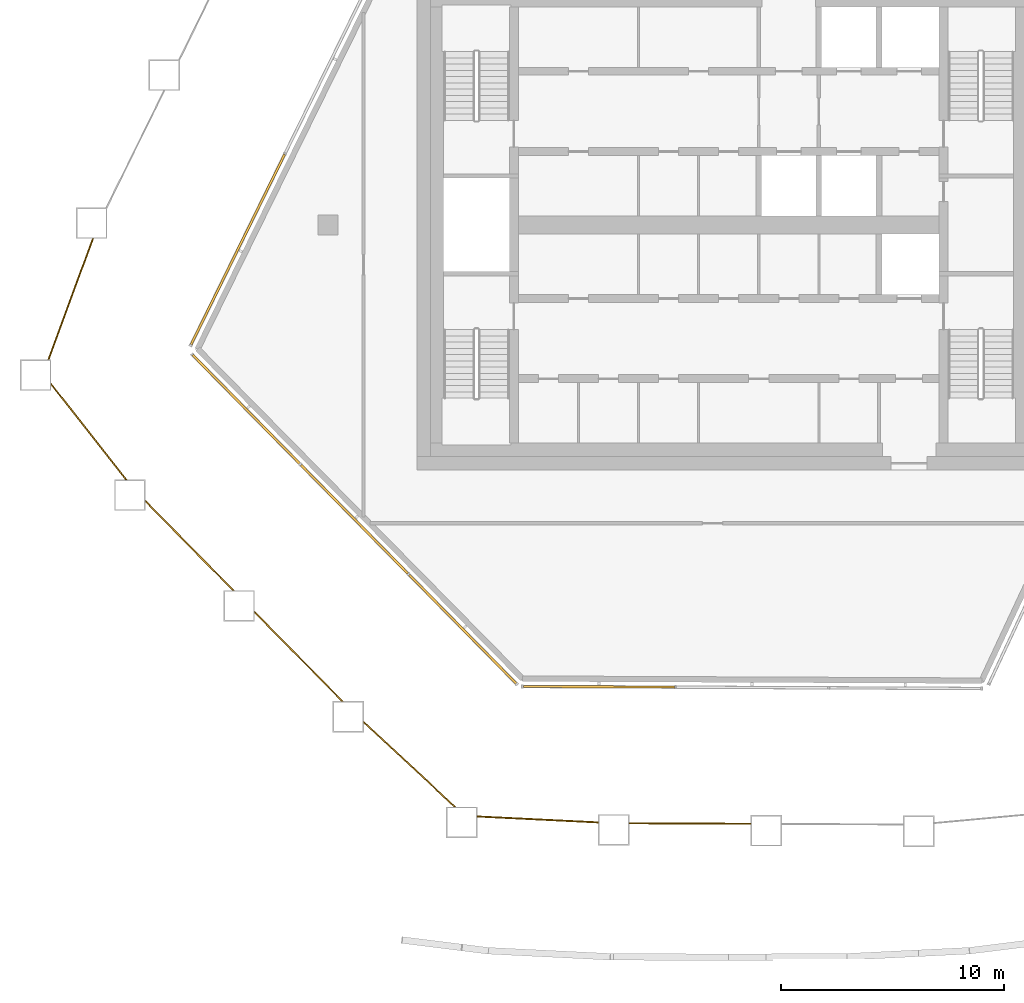
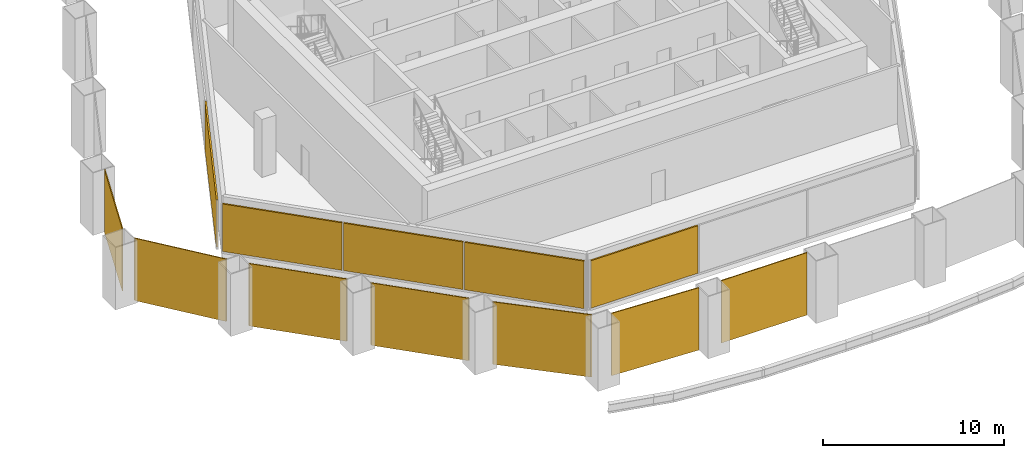
# One storey, part 13 of 18: 12 coverings, 3 elements without a shape of their own.
"""IFC4 building model written with IfcOpenShell, lengths in metres."""

import ifcopenshell
import ifcopenshell.guid

model = None  # the IFC model being written
_history = None  # IfcOwnerHistory: only IFC2X3 demands one
_inside = {}  # id of a spatial element -> (the spatial element, [elements in it])
_under = {}  # id of a project, library or spatial element -> (it, [spatial elements below it])
_declared = {}  # id of a project -> (the project, [libraries it declares])
_typed = {}  # id of a type object -> (the type object, [elements of that type])
_made_of = {}  # id of a material, layer set ... -> (it, [elements and type objects made of it])


def new_model(schema):
    """Start an empty IFC model of exactly this schema.

    Asked for "IFC4X3", IfcOpenShell would pick the latest addendum, in which some entities
    have other attributes; the version numbers below select the first issue.
    IFC2X3 requires an IfcOwnerHistory on every rooted entity: one is made here for all.
    """
    global model, _history
    if schema == "IFC4X3":
        model = ifcopenshell.file(schema_version=(4, 3, 0, 0))
    else:
        model = ifcopenshell.file(schema=schema)
    _inside.clear()
    _under.clear()
    _declared.clear()
    _typed.clear()
    _made_of.clear()
    _history = None
    if model.schema == "IFC2X3":
        org = make("IfcOrganization", Name="unknown")
        user = make(
            "IfcPersonAndOrganization",
            ThePerson=make("IfcPerson", FamilyName="unknown"),
            TheOrganization=org,
        )
        app = make(
            "IfcApplication",
            ApplicationDeveloper=org,
            Version="unknown",
            ApplicationFullName="unknown",
            ApplicationIdentifier="unknown",
        )
        _history = make(
            "IfcOwnerHistory",
            OwningUser=user,
            OwningApplication=app,
            ChangeAction="ADDED",
            CreationDate=0,
        )
    return model


def make(cls, **values):
    """One entity of the class cls with the attributes given. An attribute that is None is left unset."""
    return model.create_entity(
        cls, **{name: value for name, value in values.items() if value is not None}
    )


def rooted(cls, **values):
    """An entity with a GlobalId (a new one), such as an element, a storey or a relation."""
    return make(cls, GlobalId=ifcopenshell.guid.new(), OwnerHistory=_history, **values)


def si_unit(unit_type, name, prefix=None):
    """IfcSIUnit, for example si_unit("LENGTHUNIT", "METRE", prefix="MILLI")."""
    return make("IfcSIUnit", UnitType=unit_type, Prefix=prefix, Name=name)


def assignment(units):
    """IfcUnitAssignment: the units of a project."""
    return None if units is None else make("IfcUnitAssignment", Units=units)


def point(xyz):
    """IfcCartesianPoint."""
    return None if xyz is None else make("IfcCartesianPoint", Coordinates=xyz)


def direction(xyz):
    """IfcDirection."""
    return None if xyz is None else make("IfcDirection", DirectionRatios=xyz)


def frame(location, z_axis=None, x_axis=None):
    """IfcAxis2Placement3D, a coordinate frame: its origin and axes. An axis left out is left unset."""
    return make(
        "IfcAxis2Placement3D",
        Location=point(location),
        Axis=direction(z_axis),
        RefDirection=direction(x_axis),
    )


def frame_2d(location, x_axis=None):
    """IfcAxis2Placement2D, a coordinate frame in the plane: its origin and x axis."""
    return make(
        "IfcAxis2Placement2D", Location=point(location), RefDirection=direction(x_axis)
    )


def origin():
    """The frame at (0, 0, 0) with its axes left unset."""
    return frame((0.0, 0.0, 0.0))


def origin_2d():
    """The frame at (0, 0) in the plane with its x axis left unset."""
    return frame_2d((0.0, 0.0))


def place(relative_to, where):
    """IfcLocalPlacement: puts the frame where relative to a parent placement (None: the world)."""
    return make(
        "IfcLocalPlacement", PlacementRelTo=relative_to, RelativePlacement=where
    )


def context(
    kind, dimensions, precision=None, world=None, true_north=None, identifier=None
):
    """IfcGeometricRepresentationContext, for example the 3D "Model" context."""
    return make(
        "IfcGeometricRepresentationContext",
        ContextIdentifier=identifier,
        ContextType=kind,
        CoordinateSpaceDimension=dimensions,
        Precision=precision,
        WorldCoordinateSystem=world,
        TrueNorth=true_north,
    )


def subcontext(parent, identifier, kind, view, scale=None):
    """IfcGeometricRepresentationSubContext, for example "Body" below "Model"."""
    return make(
        "IfcGeometricRepresentationSubContext",
        ContextIdentifier=identifier,
        ContextType=kind,
        ParentContext=parent,
        TargetScale=scale,
        TargetView=view,
    )


def project(units=None, contexts=None):
    """IfcProject with its units and contexts."""
    return rooted(
        "IfcProject",
        Name="project",
        RepresentationContexts=contexts,
        UnitsInContext=assignment(units),
    )


def spatial(cls, under=None, at=None, **own):
    """A site, building, storey or space (cls), placed at a placement, below another one or the project."""
    s = rooted(cls, ObjectPlacement=at, **own)
    if under is not None:
        _under.setdefault(under.id(), (under, []))[1].append(s)
    return s


def polyline(points):
    """IfcPolyline through the points."""
    return make("IfcPolyline", Points=[point(p) for p in points])


def profile(cls, at=None, kind="AREA", **sizes):
    """A parametric profile (cls). Its sizes go by their IFC names, for example OverallWidth=200.0."""
    return make(cls, ProfileType=kind, Position=at, **sizes)


def rectangle(**sizes):
    """IfcRectangleProfileDef."""
    return profile("IfcRectangleProfileDef", **sizes)


def outline(outer, holes=None, kind="AREA"):
    """IfcArbitraryClosedProfileDef: a profile drawn as a closed curve; with holes, ...WithVoids."""
    if holes is None:
        return make("IfcArbitraryClosedProfileDef", ProfileType=kind, OuterCurve=outer)
    return make(
        "IfcArbitraryProfileDefWithVoids",
        ProfileType=kind,
        OuterCurve=outer,
        InnerCurves=holes,
    )


def extrude(swept, where, along, depth):
    """IfcExtrudedAreaSolid: the profile swept, set in the frame where, extruded along a direction by depth."""
    return make(
        "IfcExtrudedAreaSolid",
        SweptArea=swept,
        Position=where,
        ExtrudedDirection=direction(along),
        Depth=depth,
    )


def shape(context_of_items, identifier, shape_type, items):
    """IfcShapeRepresentation: the items that make up one representation, for example the "Body"."""
    return make(
        "IfcShapeRepresentation",
        ContextOfItems=context_of_items,
        RepresentationIdentifier=identifier,
        RepresentationType=shape_type,
        Items=items,
    )


def material(Name=None, Category=None):
    """IfcMaterial."""
    return make("IfcMaterial", Name=Name, Category=Category)


def layer(
    of_material, thickness, ventilated=None, Name=None, Category=None, Priority=None
):
    """IfcMaterialLayer: one layer of a wall or slab, of a material (None: an air gap)."""
    return make(
        "IfcMaterialLayer",
        Material=of_material,
        LayerThickness=thickness,
        IsVentilated=ventilated,
        Name=Name,
        Category=Category,
        Priority=Priority,
    )


def layer_set(layers, Name=None):
    """IfcMaterialLayerSet."""
    return make("IfcMaterialLayerSet", MaterialLayers=layers, LayerSetName=Name)


def made_of(thing, what):
    """Note that an element or type object is made of a material, layer set ...; save() writes the relation."""
    if what is not None:
        _made_of.setdefault(what.id(), (what, []))[1].append(thing)
    return thing


def type_object(cls, material=None, **own):
    """A type object (cls), such as IfcWallType, which elements share."""
    return made_of(rooted(cls, **own), material)


def element(
    cls,
    number,
    at=None,
    inside=None,
    cuts=None,
    type_object=None,
    material=None,
    context=None,
    identifier="Body",
    shape_type=None,
    held_by="IfcProductDefinitionShape",
    body=None,
    shapes=None,
    **own,
):
    """One element of the class cls, such as IfcWall. Its Tag is "e" and its number.

    at: its placement. inside: the storey or other place that contains it. cuts: it is an
    opening in that element (IfcRelVoidsElement). A single representation is given by context,
    identifier, shape_type and body (its items); several are given by shapes. held_by: the class
    of the entity that holds the representations. save() writes the other relations.
    """
    e = rooted(cls, Tag="e%d" % number, ObjectPlacement=at, **own)
    if body is not None:
        shapes = [shape(context, identifier, shape_type, body)]
    if shapes is not None:
        e.Representation = make(held_by, Representations=shapes)
    if inside is not None:
        _inside.setdefault(inside.id(), (inside, []))[1].append(e)
    if cuts is not None:
        rooted(
            "IfcRelVoidsElement", RelatingBuildingElement=cuts, RelatedOpeningElement=e
        )
    if type_object is not None:
        _typed.setdefault(type_object.id(), (type_object, []))[1].append(e)
    return made_of(e, material)


def aggregate(whole, parts):
    """IfcRelAggregates: a whole, such as a stair, and the parts it consists of."""
    return rooted("IfcRelAggregates", RelatingObject=whole, RelatedObjects=parts)


def save(model, path):
    """Write the relations noted so far, then the file.

    IfcRelAggregates (storeys below a building ...), IfcRelContainedInSpatialStructure (elements
    in a storey), IfcRelDefinesByType, IfcRelAssociatesMaterial and IfcRelDeclares: one each for
    every whole, place, type object, material and project.
    """
    for whole, parts in _under.values():
        aggregate(whole, parts)
    for where, things in _inside.values():
        rooted(
            "IfcRelContainedInSpatialStructure",
            RelatedElements=things,
            RelatingStructure=where,
        )
    for kind, things in _typed.values():
        rooted("IfcRelDefinesByType", RelatedObjects=things, RelatingType=kind)
    for what, things in _made_of.values():
        rooted("IfcRelAssociatesMaterial", RelatedObjects=things, RelatingMaterial=what)
    for by, libraries in _declared.values():
        rooted("IfcRelDeclares", RelatingContext=by, RelatedDefinitions=libraries)
    model.write(path)


model = new_model("IFC4")

# Units and contexts
model_context = context("Model", 3, precision=1e-05, world=origin(), true_north=direction((0.0, 1.0)))
body_context = subcontext(model_context, "Body", "Model", "MODEL_VIEW")
ifc_project = project(units=[si_unit("LENGTHUNIT", "METRE"), si_unit("AREAUNIT", "SQUARE_METRE"), si_unit("VOLUMEUNIT", "CUBIC_METRE"), si_unit("PLANEANGLEUNIT", "RADIAN"), si_unit("MASSUNIT", "GRAM", prefix="KILO")], contexts=[model_context])

# Site, building, storey
site_placement = place(None, origin())
site = spatial("IfcSite", under=ifc_project, at=site_placement, CompositionType="ELEMENT")
building_placement = place(site_placement, origin())
building = spatial("IfcBuilding", under=site, at=building_placement, Name="Dongbaek Canopy Tower", CompositionType="ELEMENT")
storey_placement = place(building_placement, frame((0.0, 0.0, 371.60009765625)))
storey = spatial("IfcBuildingStorey", under=building, at=storey_placement, Name="L80", CompositionType="ELEMENT", Elevation=371.60009765625)

# Coverings
ifc_material_1 = material(Name="Perforated pale metal")
ifc_layer_1 = layer(ifc_material_1, 0.06005859375)
ifc_layer_set_1 = layer_set([ifc_layer_1], Name="Crown plant screen")
covering_type_1 = type_object("IfcCoveringType", Name="Crown plant screen", PredefinedType="CLADDING", material=ifc_layer_set_1)
covering_1_placement = place(storey_placement, origin())
element("IfcCovering", 1, at=covering_1_placement, inside=storey, type_object=covering_type_1, Name="Crown plant screen 1 L80", PredefinedType="CLADDING", context=body_context, shape_type="SweptSolid", body=[
    extrude(outline(polyline([(-30.428955078125, -7.197998046875), (-30.428955078125, -7.10107421875), (-27.02001953125, -11.43408203125), (-27.09619140625, -11.43408203125), (-30.428955078125, -7.197998046875)])), origin(), (0.0, 0.0, 1.0), 4.199951171875),
])
covering_2_placement = place(storey_placement, origin())
element("IfcCovering", 2, at=covering_2_placement, inside=storey, type_object=covering_type_1, Name="Crown plant screen 2 L80", PredefinedType="CLADDING", context=body_context, shape_type="SweptSolid", body=[
    extrude(outline(polyline([(-26.18896484375, -12.4599609375), (-26.18896484375, -12.37451171875), (-22.21240234375, -16.412109375), (-22.29638671875, -16.412109375), (-26.18896484375, -12.4599609375)])), origin(), (0.0, 0.0, 1.0), 4.199951171875),
])
covering_3_placement = place(storey_placement, origin())
element("IfcCovering", 3, at=covering_3_placement, inside=storey, type_object=covering_type_1, Name="Crown plant screen 3 L80", PredefinedType="CLADDING", context=body_context, shape_type="SweptSolid", body=[
    extrude(outline(polyline([(-21.285888671875, -17.43798828125), (-21.285888671875, -17.352294921875), (-17.310302734375, -21.388916015625), (-17.39453125, -21.388916015625), (-21.285888671875, -17.43798828125)])), origin(), (0.0, 0.0, 1.0), 4.199951171875),
])
covering_4_placement = place(storey_placement, origin())
element("IfcCovering", 4, at=covering_4_placement, inside=storey, type_object=covering_type_1, Name="Crown plant screen 4 L80", PredefinedType="CLADDING", context=body_context, shape_type="SweptSolid", body=[
    extrude(outline(polyline([(-16.384033203125, -22.371337890625), (-16.384033203125, -22.289306640625), (-12.253173828125, -26.131103515625), (-12.34130859375, -26.131103515625), (-16.384033203125, -22.371337890625)])), origin(), (0.0, 0.0, 1.0), 4.199951171875),
])
covering_5_placement = place(storey_placement, origin())
element("IfcCovering", 5, at=covering_5_placement, inside=storey, type_object=covering_type_1, Name="Crown plant screen 5 L80", PredefinedType="CLADDING", context=body_context, shape_type="SweptSolid", body=[
    extrude(outline(polyline([(-11.284912109375, -26.59521484375), (-11.284912109375, -26.53515625), (-5.865966796875, -26.802001953125), (-5.865966796875, -26.8623046875), (-11.284912109375, -26.59521484375)])), origin(), (0.0, 0.0, 1.0), 4.199951171875),
])
covering_6_placement = place(storey_placement, origin())
element("IfcCovering", 6, at=covering_6_placement, inside=storey, type_object=covering_type_1, Name="Crown plant screen 6 L80", PredefinedType="CLADDING", context=body_context, shape_type="SweptSolid", body=[
    extrude(outline(polyline([(-4.466064453125, -26.900146484375), (-4.466064453125, -26.840087890625), (0.98291015625, -26.864013671875), (0.98291015625, -26.923828125), (-4.466064453125, -26.900146484375)])), origin(), (0.0, 0.0, 1.0), 4.199951171875),
])
covering_7_placement = place(storey_placement, origin())
element("IfcCovering", 7, at=covering_7_placement, inside=storey, type_object=covering_type_1, Name="Crown plant screen 26 L80", PredefinedType="CLADDING", context=body_context, shape_type="SweptSolid", body=[
    extrude(outline(polyline([(-28.586669921875, -0.614013671875), (-28.522705078125, -0.614013671875), (-30.52001953125, -6.044921875), (-30.583984375, -6.044921875), (-28.586669921875, -0.614013671875)])), origin(), (0.0, 0.0, 1.0), 4.199951171875),
])

# Curtain wall, covering
ifc_material_2 = material(Name="Aluminium 6063-T6 pale anodised", Category="aluminium")
ifc_layer_2 = layer(ifc_material_2, 0.14990234375)
ifc_layer_set_2 = layer_set([ifc_layer_2], Name="CW-7 louvre curtain wall")
curtain_wall_type = type_object("IfcCurtainWallType", Name="CW-7 louvre curtain wall", PredefinedType="NOTDEFINED", material=ifc_layer_set_2)
curtain_wall_1_placement = place(storey_placement, origin())
curtain_wall_1 = element("IfcCurtainWall", 8, at=curtain_wall_1_placement, inside=storey, type_object=curtain_wall_type, Name="CW-7 louvre wall L80 F0", PredefinedType="NOTDEFINED")
ifc_material_3 = material(Name="Aluminium 6063-T6 pale metal louvre blades", Category="aluminium")
ifc_layer_3 = layer(ifc_material_3, 0.10009765625)
ifc_layer_set_3 = layer_set([ifc_layer_3], Name="Louvre LV bank 100 x 3200")
covering_type_2 = type_object("IfcCoveringType", Name="Louvre LV bank 100 x 3200", PredefinedType="CLADDING", material=ifc_layer_set_3)
covering_8_placement = place(storey_placement, frame((-5.828369140625, -20.741943359375, 0.2998046875), z_axis=(0.0, 0.0, 1.0), x_axis=(0.999990026762, -0.004466136555, 0.0)))
covering_8 = element("IfcCovering", 9, at=covering_8_placement, type_object=covering_type_2, Name="Louvre L80 F0.1.1", PredefinedType="CLADDING", context=body_context, shape_type="SweptSolid", body=[
    extrude(rectangle(XDim=6.787841796875, YDim=0.10009765625, at=origin_2d()), origin(), (0.0, 0.0, 1.0), 3.199951171875),
])
aggregate(curtain_wall_1, [covering_8])

curtain_wall_2_placement = place(storey_placement, origin())
curtain_wall_2 = element("IfcCurtainWall", 10, at=curtain_wall_2_placement, inside=storey, type_object=curtain_wall_type, Name="CW-7 louvre wall L80 F4", PredefinedType="NOTDEFINED")
covering_9_placement = place(storey_placement, frame((-22.04638671875, -1.105712890625, 0.2998046875), z_axis=(0.0, 0.0, 1.0), x_axis=(-0.441341619439, -0.897339163834, 0.0)))
covering_9 = element("IfcCovering", 11, at=covering_9_placement, type_object=covering_type_2, Name="Louvre L80 F4.1.3", PredefinedType="CLADDING", context=body_context, shape_type="SweptSolid", body=[
    extrude(rectangle(XDim=9.51171875, YDim=0.10009765625, at=origin_2d()), origin(), (0.0, 0.0, 1.0), 3.199951171875),
])
aggregate(curtain_wall_2, [covering_9])

# Curtain wall, coverings
curtain_wall_3_placement = place(storey_placement, origin())
curtain_wall_3 = element("IfcCurtainWall", 12, at=curtain_wall_3_placement, inside=storey, type_object=curtain_wall_type, Name="CW-7 louvre wall L80 F5", PredefinedType="NOTDEFINED")
covering_10_placement = place(storey_placement, frame((-21.669677734375, -8.28173828125, 0.2998046875), z_axis=(0.0, 0.0, 1.0), x_axis=(0.70171826998, -0.712454538603, 0.0)))
covering_10 = element("IfcCovering", 13, at=covering_10_placement, type_object=covering_type_2, Name="Louvre L80 F5.1.1", PredefinedType="CLADDING", context=body_context, shape_type="SweptSolid", body=[
    extrude(rectangle(XDim=6.83837890625, YDim=0.10009765625, at=origin_2d()), origin(), (0.0, 0.0, 1.0), 3.199951171875),
])
covering_11_placement = place(storey_placement, frame((-16.807861328125, -13.218017578125, 0.2998046875), z_axis=(0.0, 0.0, 1.0), x_axis=(0.70171826998, -0.712454538603, 0.0)))
covering_11 = element("IfcCovering", 14, at=covering_11_placement, type_object=covering_type_2, Name="Louvre L80 F5.1.2", PredefinedType="CLADDING", context=body_context, shape_type="SweptSolid", body=[
    extrude(rectangle(XDim=6.83837890625, YDim=0.10009765625, at=origin_2d()), origin(), (0.0, 0.0, 1.0), 3.199951171875),
])
covering_12_placement = place(storey_placement, frame((-11.946044921875, -18.154052734375, 0.2998046875), z_axis=(0.0, 0.0, 1.0), x_axis=(0.70171826998, -0.712454538603, 0.0)))
covering_12 = element("IfcCovering", 15, at=covering_12_placement, type_object=covering_type_2, Name="Louvre L80 F5.1.3", PredefinedType="CLADDING", context=body_context, shape_type="SweptSolid", body=[
    extrude(rectangle(XDim=6.83837890625, YDim=0.10009765625, at=origin_2d()), origin(), (0.0, 0.0, 1.0), 3.199951171875),
])
aggregate(curtain_wall_3, [covering_10, covering_11, covering_12])

save(model, "model.ifc")
